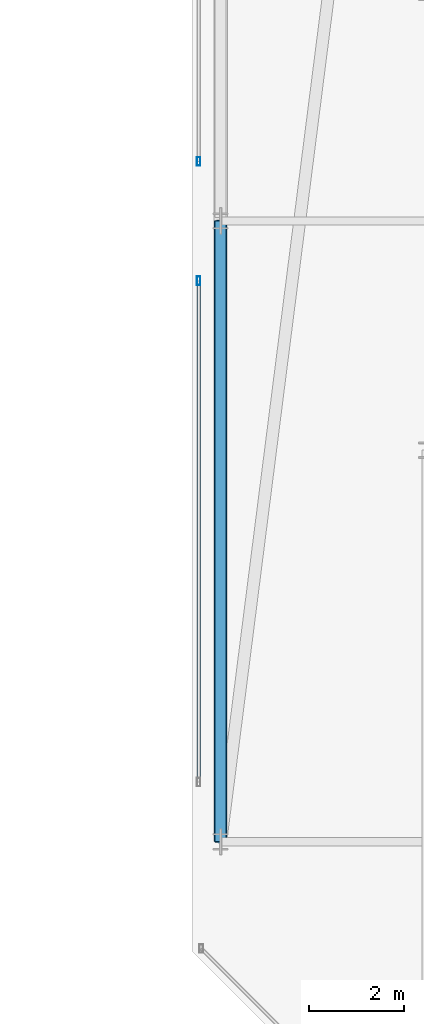
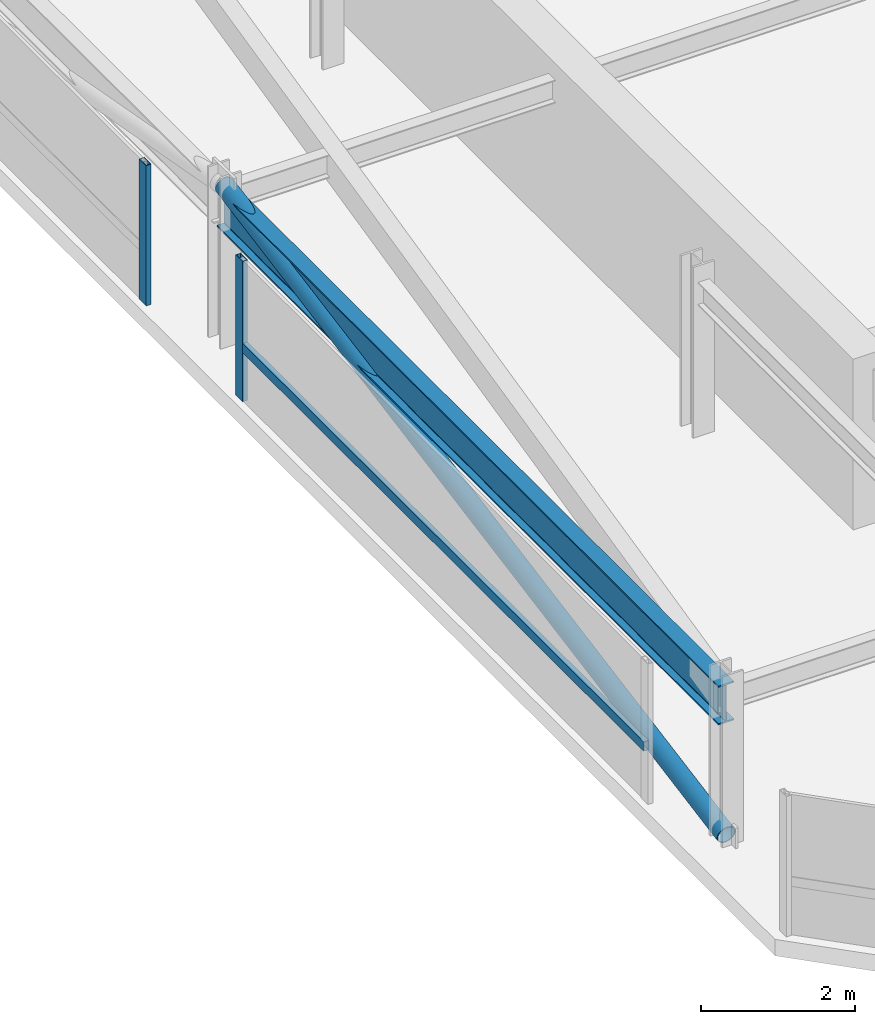
# One storey, part 20 of 42: 4 members, 1 beam, 2 elements without a shape of their own.
"""IFC4 building model written with IfcOpenShell, lengths in metres."""

from ifc_helpers import new_model, si_unit, direction, frame, origin, origin_2d, place, context, subcontext, project, spatial, hollow_rectangle, hollow_circle, i_section, extrude, material, material_profile, profile_set, type_object, element, aggregate, save


model = new_model("IFC4")

# Units and contexts
model_context = context("Model", 3, precision=1e-05, world=origin(), true_north=direction((0.0, 1.0)))
body_context = subcontext(model_context, "Body", "Model", "MODEL_VIEW")
ifc_project = project(units=[si_unit("LENGTHUNIT", "METRE"), si_unit("AREAUNIT", "SQUARE_METRE"), si_unit("VOLUMEUNIT", "CUBIC_METRE"), si_unit("PLANEANGLEUNIT", "RADIAN"), si_unit("MASSUNIT", "GRAM", prefix="KILO")], contexts=[model_context])

# Site, building, storey
site_placement = place(None, origin())
site = spatial("IfcSite", under=ifc_project, at=site_placement, CompositionType="ELEMENT")
building_placement = place(site_placement, origin())
building = spatial("IfcBuilding", under=site, at=building_placement, Name="Thornwick Lancets Civic Towers", CompositionType="ELEMENT")
storey_placement = place(building_placement, frame((0.0, 0.0, 289.5)))
storey = spatial("IfcBuildingStorey", under=building, at=storey_placement, Name="C04", CompositionType="ELEMENT", Elevation=289.5)

# Beam
ifc_material_1 = material(Name="Steel S355JR", Category="steel")
ifc_material_profile_1 = material_profile(ifc_material_1, i_section(OverallWidth=0.230224609375, OverallDepth=0.6171875, WebThickness=0.01318359375, FlangeThickness=0.022216796875, FilletRadius=0.0126953125, at=origin_2d()), Name="UKB 610x229x140")
ifc_profile_set_1 = profile_set([ifc_material_profile_1], Name="Steel S355JR")
beam_type = type_object("IfcBeamType", Name="BM_GIRD_610_140", PredefinedType="BEAM", material=ifc_profile_set_1)
beam_placement = place(storey_placement, frame((71.199951171875, 14.0, 2.13134765625), z_axis=(0.0, 1.0, 0.0), x_axis=(-1.0, 0.0, 0.0)))
element("IfcBeam", 1, at=beam_placement, inside=storey, type_object=beam_type, Name="BM-SPINE-C04-B-6-7", PredefinedType="BEAM", context=body_context, shape_type="SweptSolid", body=[
    extrude(i_section(OverallWidth=0.230224609375, OverallDepth=0.6171875, WebThickness=0.01318359375, FlangeThickness=0.022216796875, FilletRadius=0.0126953125, at=origin_2d()), origin(), (0.0, 0.0, 1.0), 13.0),
])

# Curtain wall, member
ifc_material_2 = material(Name="Crown ring acoustic-louvre and glazing screen wall", Category="glass")
curtain_wall_type = type_object("IfcCurtainWallType", Name="CW_SYS_07", PredefinedType="NOTDEFINED", material=ifc_material_2)
curtain_wall_1_placement = place(storey_placement, origin())
curtain_wall_1 = element("IfcCurtainWall", 2, at=curtain_wall_1_placement, inside=storey, type_object=curtain_wall_type, Name="C04 Curtain Wall CW-C04-B-E6-S2", PredefinedType="NOTDEFINED")
ifc_material_3 = material(Name="Thermally broken bronze aluminium S355", Category="steel")
ifc_material_profile_2 = material_profile(ifc_material_3, hollow_rectangle(XDim=0.074951171875, YDim=0.179931640625, WallThickness=0.006103515625, at=origin_2d()), Name="RHS 180x75x6")
ifc_profile_set_2 = profile_set([ifc_material_profile_2], Name="Thermally broken bronze aluminium S355")
member_type_1 = type_object("IfcMemberType", Name="CW_MUL_180", PredefinedType="MULLION", material=ifc_profile_set_2)
member_1_placement = place(storey_placement, frame((70.7353515625, 28.25, 0.0), z_axis=(0.0, 0.0, 1.0), x_axis=(1.0, 0.0, 0.0)))
member_1 = element("IfcMember", 3, at=member_1_placement, type_object=member_type_1, Name="CW-C04-B-E6-S2 Mullion 1", PredefinedType="MULLION", context=body_context, shape_type="SweptSolid", body=[
    extrude(hollow_rectangle(XDim=0.074951171875, YDim=0.179931640625, WallThickness=0.006103515625, at=origin_2d()), origin(), (0.0, 0.0, 1.0), 2.219970703125),
])
aggregate(curtain_wall_1, [member_1])

# Curtain wall, members
curtain_wall_2_placement = place(storey_placement, origin())
curtain_wall_2 = element("IfcCurtainWall", 4, at=curtain_wall_2_placement, inside=storey, type_object=curtain_wall_type, Name="C04 Curtain Wall CW-C04-B-E6-S3", PredefinedType="NOTDEFINED")
member_2_placement = place(storey_placement, frame((70.7353515625, 25.75, 0.0), z_axis=(0.0, 0.0, 1.0), x_axis=(1.0, 0.0, 0.0)))
member_2 = element("IfcMember", 5, at=member_2_placement, type_object=member_type_1, Name="CW-C04-B-E6-S3 Mullion 0", PredefinedType="MULLION", context=body_context, shape_type="SweptSolid", body=[
    extrude(hollow_rectangle(XDim=0.074951171875, YDim=0.179931640625, WallThickness=0.006103515625, at=origin_2d()), origin(), (0.0, 0.0, 1.0), 2.219970703125),
])
ifc_material_profile_3 = material_profile(ifc_material_3, hollow_rectangle(XDim=0.074951171875, YDim=0.14990234375, WallThickness=0.0048828125, at=origin_2d()), Name="RHS 150x75x5")
ifc_profile_set_3 = profile_set([ifc_material_profile_3], Name="Thermally broken bronze aluminium S355")
member_type_2 = type_object("IfcMemberType", Name="CW_TRN_150", PredefinedType="USERDEFINED", material=ifc_profile_set_3)
member_3_placement = place(storey_placement, frame((70.7353515625, 25.72998046875, 0.85009765625), z_axis=(0.0, -1.0, 0.0), x_axis=(1.0, 0.0, 0.0)))
member_3 = element("IfcMember", 6, at=member_3_placement, type_object=member_type_2, Name="CW-C04-B-E6-S3 Transom 0", ObjectType="TRANSOM", PredefinedType="USERDEFINED", context=body_context, shape_type="SweptSolid", body=[
    extrude(hollow_rectangle(XDim=0.074951171875, YDim=0.14990234375, WallThickness=0.0048828125, at=origin_2d()), origin(), (0.0, 0.0, 1.0), 10.4599609375),
])
aggregate(curtain_wall_2, [member_2, member_3])

# Member
ifc_material_profile_4 = material_profile(ifc_material_1, hollow_circle(Radius=0.136474609375, WallThickness=0.012451171875, at=origin_2d()), Name="CHS 273x12.5")
ifc_profile_set_4 = profile_set([ifc_material_profile_4], Name="Steel S355JR")
member_type_3 = type_object("IfcMemberType", Name="MEM_CROWN_CHS273", PredefinedType="BRACE", material=ifc_profile_set_4)
member_4_placement = place(storey_placement, frame((71.199951171875, 14.0, 0.050048828125), z_axis=(0.0, 0.98351842104, 0.180807951915), x_axis=(-1.0, 0.0, 0.0)))
element("IfcMember", 7, at=member_4_placement, inside=storey, type_object=member_type_3, Name="C04 Crown Ring Lancet Rib B-S2-L", PredefinedType="BRACE", context=body_context, shape_type="SweptSolid", body=[
    extrude(hollow_circle(Radius=0.136474609375, WallThickness=0.012451171875, at=origin_2d()), origin(), (0.0, 0.0, 1.0), 13.2177734375),
])

save(model, "model.ifc")
